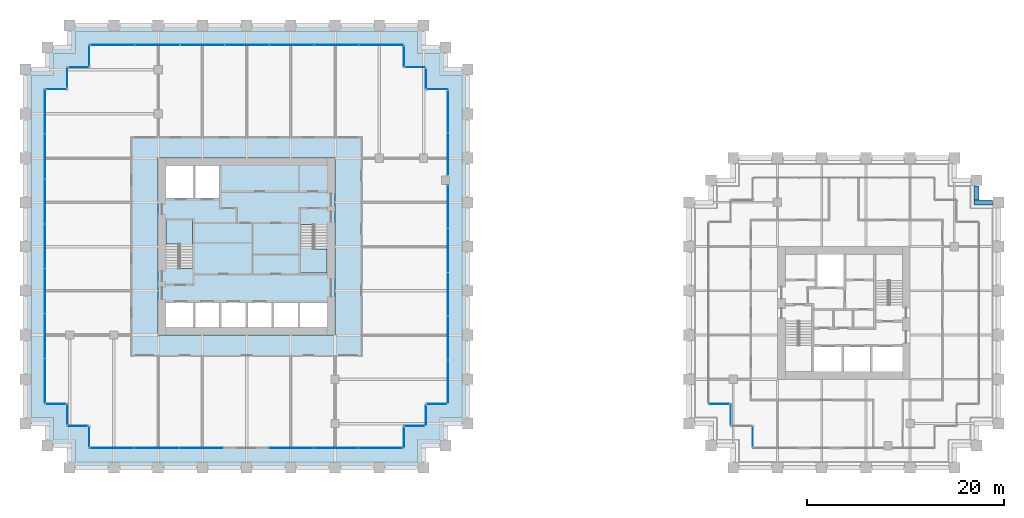
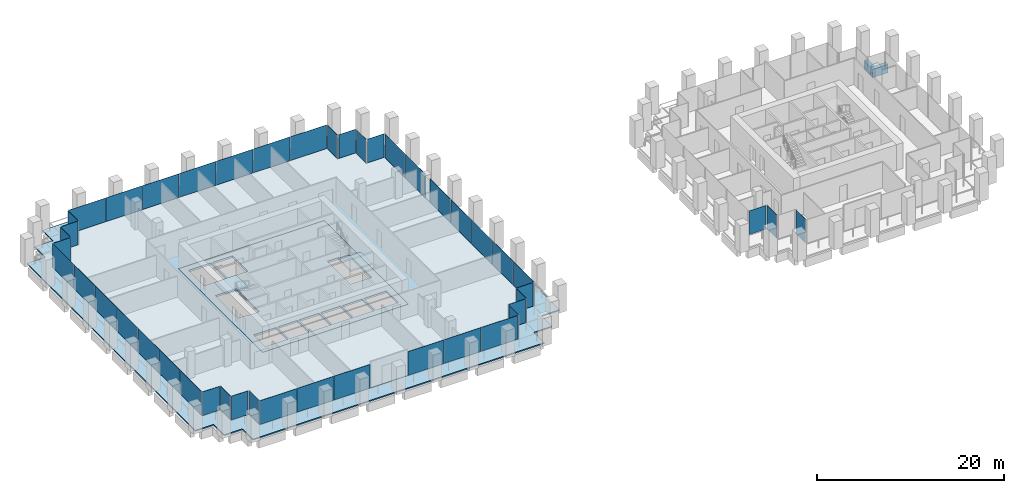
# One storey, part 47 of 55: 46 plates, 5 slabs, 2 beams, 27 elements without a shape of their own.
"""IFC4 building model written with IfcOpenShell, lengths in metres."""

from ifc_helpers import new_model, si_unit, direction, frame, origin, origin_2d, place, context, subcontext, project, spatial, polyline, rectangle, outline, extrude, material, layer, layer_set, material_profile, profile_set, type_object, element, aggregate, save


model = new_model("IFC4")

# Units and contexts
model_context = context("Model", 3, precision=1e-05, world=origin(), true_north=direction((0.0, 1.0)))
body_context = subcontext(model_context, "Body", "Model", "MODEL_VIEW")
ifc_project = project(units=[si_unit("LENGTHUNIT", "METRE"), si_unit("AREAUNIT", "SQUARE_METRE"), si_unit("VOLUMEUNIT", "CUBIC_METRE"), si_unit("PLANEANGLEUNIT", "RADIAN"), si_unit("MASSUNIT", "GRAM", prefix="KILO")], contexts=[model_context])

# Site, building, storey
site_placement = place(None, origin())
site = spatial("IfcSite", under=ifc_project, at=site_placement, CompositionType="ELEMENT")
building_placement = place(site_placement, origin())
building = spatial("IfcBuilding", under=site, at=building_placement, Name="Altepetl Exchange Towers", CompositionType="ELEMENT")
storey_placement = place(building_placement, frame((0.0, 0.0, 47.39990234375)))
storey = spatial("IfcBuildingStorey", under=building, at=storey_placement, Name="L10", CompositionType="ELEMENT", Elevation=47.39990234375)

# Beams
ifc_material_1 = material(Name="Concrete C50/60 precast with cantera amarilla facing", Category="concrete")
ifc_material_profile = material_profile(ifc_material_1, rectangle(XDim=0.5, YDim=1.10009765625, at=origin_2d()), Name="500 x 1100")
ifc_profile_set = profile_set([ifc_material_profile], Name="Concrete C50/60 precast with cantera amarilla facing")
beam_type = type_object("IfcBeamType", Name="Spandrel beam 500x1100 cantera amarilla", PredefinedType="SPANDREL", material=ifc_profile_set)
beam_1_placement = place(storey_placement, frame((125.39990234375, 54.0, -0.699951171875), z_axis=(-1.0, 0.0, 0.0), x_axis=(0.0, -1.0, 0.0)))
element("IfcBeam", 1, at=beam_1_placement, inside=storey, type_object=beam_type, Name="sp:B:L10:014", PredefinedType="SPANDREL", context=body_context, shape_type="SweptSolid", body=[
    extrude(rectangle(XDim=0.5, YDim=1.10009765625, at=origin_2d()), origin(), (0.0, 0.0, 1.0), 1.89990234375),
])
beam_2_placement = place(storey_placement, frame((123.75, 54.25, -0.699951171875), z_axis=(0.0, 1.0, 0.0), x_axis=(-1.0, 0.0, 0.0)))
element("IfcBeam", 2, at=beam_2_placement, inside=storey, type_object=beam_type, Name="sp:B:L10:015", PredefinedType="SPANDREL", context=body_context, shape_type="SweptSolid", body=[
    extrude(rectangle(XDim=0.5, YDim=1.10009765625, at=origin_2d()), origin(), (0.0, 0.0, 1.0), 1.39990234375),
])

# Slabs
ifc_material_2 = material(Name="Concrete C40/50", Category="concrete")
ifc_layer_1 = layer(ifc_material_2, 0.14990234375)
ifc_layer_set_1 = layer_set([ifc_layer_1], Name="Concrete C40/50")
slab_type_1 = type_object("IfcSlabType", Name="Composite floor slab 150", PredefinedType="FLOOR", material=ifc_layer_set_1)
slab_1_placement = place(storey_placement, frame((0.0, 0.0, -0.14990234375)))
element("IfcSlab", 3, at=slab_1_placement, inside=storey, type_object=slab_type_1, Name="slab:A:L10:strip0", PredefinedType="FLOOR", context=body_context, shape_type="SweptSolid", body=[
    extrude(outline(polyline([(31.25, 67.75), (31.25, 65.5), (29.0, 65.5), (29.0, 33.5), (31.25, 33.5), (31.25, 31.25), (33.5, 31.25), (33.5, 29.0), (65.5, 29.0), (65.5, 31.25), (67.75, 31.25), (67.75, 33.5), (70.0, 33.5), (70.0, 65.5), (67.75, 65.5), (67.75, 67.75), (65.5, 67.75), (65.5, 70.0), (33.5, 70.0), (33.5, 67.75), (31.25, 67.75)]), holes=[polyline([(58.5, 58.5), (58.5, 40.5), (40.5, 40.5), (40.5, 58.5), (58.5, 58.5)])]), origin(), (0.0, 0.0, 1.0), 0.14990234375),
])
ifc_layer_2 = layer(ifc_material_2, 0.25)
ifc_layer_set_2 = layer_set([ifc_layer_2], Name="Concrete C40/50")
slab_type_2 = type_object("IfcSlabType", Name="Core floor slab 250", PredefinedType="FLOOR", material=ifc_layer_set_2)
slab_2_placement = place(storey_placement, frame((0.0, 0.0, -0.25)))
element("IfcSlab", 4, at=slab_2_placement, inside=storey, type_object=slab_type_2, Name="slab:A:L10:core0", PredefinedType="FLOOR", context=body_context, shape_type="SweptSolid", body=[
    extrude(outline(polyline([(40.5, 40.5), (58.5, 40.5), (58.5, 58.5), (40.5, 58.5), (40.5, 40.5)]), holes=[polyline([(41.300048828125, 43.800048828125), (44.06689453125, 43.800048828125), (44.06689453125, 41.300048828125), (41.300048828125, 41.300048828125), (41.300048828125, 43.800048828125)]), polyline([(44.26708984375, 43.800048828125), (46.73291015625, 43.800048828125), (46.73291015625, 41.300048828125), (44.26708984375, 41.300048828125), (44.26708984375, 43.800048828125)]), polyline([(46.93310546875, 43.800048828125), (49.39990234375, 43.800048828125), (49.39990234375, 41.300048828125), (46.93310546875, 41.300048828125), (46.93310546875, 43.800048828125)]), polyline([(52.06689453125, 43.800048828125), (52.06689453125, 41.300048828125), (49.60009765625, 41.300048828125), (49.60009765625, 43.800048828125), (52.06689453125, 43.800048828125)]), polyline([(54.73291015625, 43.800048828125), (54.73291015625, 41.300048828125), (52.26708984375, 41.300048828125), (52.26708984375, 43.800048828125), (54.73291015625, 43.800048828125)]), polyline([(54.93310546875, 43.800048828125), (57.699951171875, 43.800048828125), (57.699951171875, 41.300048828125), (54.93310546875, 41.300048828125), (54.93310546875, 43.800048828125)]), polyline([(55.0, 51.7490234375), (56.39990234375, 51.7490234375), (56.39990234375, 51.64990234375), (57.60009765625, 51.64990234375), (57.60009765625, 46.800048828125), (55.0, 46.800048828125), (55.0, 51.7490234375)]), polyline([(44.0, 47.2509765625), (42.60009765625, 47.2509765625), (42.60009765625, 47.35009765625), (41.39990234375, 47.35009765625), (41.39990234375, 52.199951171875), (44.0, 52.199951171875), (44.0, 47.2509765625)]), polyline([(44.06689453125, 57.699951171875), (44.06689453125, 54.39990234375), (41.300048828125, 54.39990234375), (41.300048828125, 57.699951171875), (44.06689453125, 57.699951171875)]), polyline([(46.73291015625, 57.699951171875), (46.73291015625, 54.39990234375), (44.26708984375, 54.39990234375), (44.26708984375, 57.699951171875), (46.73291015625, 57.699951171875)])]), origin(), (0.0, 0.0, 1.0), 0.25),
])

# Curtain wall, plate
ifc_material_3 = material(Name="Aluminium 6063-T6 glazing", Category="aluminium")
curtain_wall_type = type_object("IfcCurtainWallType", Name="Loggia glazing system", PredefinedType="NOTDEFINED", material=ifc_material_3)
curtain_wall_1_placement = place(storey_placement, origin())
curtain_wall_1 = element("IfcCurtainWall", 5, at=curtain_wall_1_placement, inside=storey, type_object=curtain_wall_type, Name="CW1 run", PredefinedType="NOTDEFINED")
ifc_material_4 = material(Name="Glass 6-16-6 low emissivity", Category="glass")
ifc_layer_3 = layer(ifc_material_4, 0.028076171875)
ifc_layer_set_3 = layer_set([ifc_layer_3], Name="Glass 6-16-6 low emissivity")
plate_type = type_object("IfcPlateType", Name="Glass panel 28 double glazed", PredefinedType="CURTAIN_PANEL", material=ifc_layer_set_3)
plate_1_placement = place(storey_placement, frame((30.16259765625, 65.5, 0.0), z_axis=(0.0, 0.0, 1.0), x_axis=(-1.0, 0.0, 0.0)))
plate_1 = element("IfcPlate", 6, at=plate_1_placement, type_object=plate_type, Name="GP1 panel", PredefinedType="CURTAIN_PANEL", context=body_context, shape_type="SweptSolid", body=[
    extrude(rectangle(XDim=2.054931640625, YDim=0.028076171875, at=origin_2d()), origin(), (0.0, 0.0, 1.0), 3.10009765625),
])
aggregate(curtain_wall_1, [plate_1])

# Curtain wall, plates
curtain_wall_2_placement = place(storey_placement, origin())
curtain_wall_2 = element("IfcCurtainWall", 7, at=curtain_wall_2_placement, inside=storey, type_object=curtain_wall_type, Name="CW1 run", PredefinedType="NOTDEFINED")
plate_2_placement = place(storey_placement, frame((29.0, 63.20458984375, 0.0), z_axis=(0.0, 0.0, 1.0), x_axis=(0.0, -1.0, 0.0)))
plate_2 = element("IfcPlate", 8, at=plate_2_placement, type_object=plate_type, Name="GP1 panel", PredefinedType="CURTAIN_PANEL", context=body_context, shape_type="SweptSolid", body=[
    extrude(rectangle(XDim=4.470703125, YDim=0.028076171875, at=origin_2d()), origin(), (0.0, 0.0, 1.0), 3.10009765625),
])
plate_3_placement = place(storey_placement, frame((29.0, 58.658935546875, 0.0), z_axis=(0.0, 0.0, 1.0), x_axis=(0.0, -1.0, 0.0)))
plate_3 = element("IfcPlate", 9, at=plate_3_placement, type_object=plate_type, Name="GP1 panel", PredefinedType="CURTAIN_PANEL", context=body_context, shape_type="SweptSolid", body=[
    extrude(rectangle(XDim=4.500732421875, YDim=0.028076171875, at=origin_2d()), origin(), (0.0, 0.0, 1.0), 3.10009765625),
])
plate_4_placement = place(storey_placement, frame((29.0, 54.09814453125, 0.0), z_axis=(0.0, 0.0, 1.0), x_axis=(0.0, -1.0, 0.0)))
plate_4 = element("IfcPlate", 10, at=plate_4_placement, type_object=plate_type, Name="GP1 panel", PredefinedType="CURTAIN_PANEL", context=body_context, shape_type="SweptSolid", body=[
    extrude(rectangle(XDim=4.500732421875, YDim=0.028076171875, at=origin_2d()), origin(), (0.0, 0.0, 1.0), 3.10009765625),
])
plate_5_placement = place(storey_placement, frame((29.0, 49.53759765625, 0.0), z_axis=(0.0, 0.0, 1.0), x_axis=(0.0, -1.0, 0.0)))
plate_5 = element("IfcPlate", 11, at=plate_5_placement, type_object=plate_type, Name="GP1 panel", PredefinedType="CURTAIN_PANEL", context=body_context, shape_type="SweptSolid", body=[
    extrude(rectangle(XDim=4.500732421875, YDim=0.028076171875, at=origin_2d()), origin(), (0.0, 0.0, 1.0), 3.10009765625),
])
plate_6_placement = place(storey_placement, frame((29.0, 44.976806640625, 0.0), z_axis=(0.0, 0.0, 1.0), x_axis=(0.0, -1.0, 0.0)))
plate_6 = element("IfcPlate", 12, at=plate_6_placement, type_object=plate_type, Name="GP1 panel", PredefinedType="CURTAIN_PANEL", context=body_context, shape_type="SweptSolid", body=[
    extrude(rectangle(XDim=4.500732421875, YDim=0.028076171875, at=origin_2d()), origin(), (0.0, 0.0, 1.0), 3.10009765625),
])
plate_7_placement = place(storey_placement, frame((29.0, 40.416015625, 0.0), z_axis=(0.0, 0.0, 1.0), x_axis=(0.0, -1.0, 0.0)))
plate_7 = element("IfcPlate", 13, at=plate_7_placement, type_object=plate_type, Name="GP1 panel", PredefinedType="CURTAIN_PANEL", context=body_context, shape_type="SweptSolid", body=[
    extrude(rectangle(XDim=4.500732421875, YDim=0.028076171875, at=origin_2d()), origin(), (0.0, 0.0, 1.0), 3.10009765625),
])
plate_8_placement = place(storey_placement, frame((29.0, 35.870361328125, 0.0), z_axis=(0.0, 0.0, 1.0), x_axis=(0.0, -1.0, 0.0)))
plate_8 = element("IfcPlate", 14, at=plate_8_placement, type_object=plate_type, Name="GP1 panel", PredefinedType="CURTAIN_PANEL", context=body_context, shape_type="SweptSolid", body=[
    extrude(rectangle(XDim=4.470703125, YDim=0.028076171875, at=origin_2d()), origin(), (0.0, 0.0, 1.0), 3.10009765625),
])
aggregate(curtain_wall_2, [plate_2, plate_3, plate_4, plate_5, plate_6, plate_7, plate_8])

# Curtain wall, plate
curtain_wall_3_placement = place(storey_placement, origin())
curtain_wall_3 = element("IfcCurtainWall", 15, at=curtain_wall_3_placement, inside=storey, type_object=curtain_wall_type, Name="CW1 run", PredefinedType="NOTDEFINED")
plate_9_placement = place(storey_placement, frame((30.08740234375, 33.5, 0.0)))
plate_9 = element("IfcPlate", 16, at=plate_9_placement, type_object=plate_type, Name="GP1 panel", PredefinedType="CURTAIN_PANEL", context=body_context, shape_type="SweptSolid", body=[
    extrude(rectangle(XDim=2.054931640625, YDim=0.028076171875, at=origin_2d()), origin(), (0.0, 0.0, 1.0), 3.10009765625),
])
aggregate(curtain_wall_3, [plate_9])

curtain_wall_4_placement = place(storey_placement, origin())
curtain_wall_4 = element("IfcCurtainWall", 17, at=curtain_wall_4_placement, inside=storey, type_object=curtain_wall_type, Name="CW1 run", PredefinedType="NOTDEFINED")
plate_10_placement = place(storey_placement, frame((31.25, 32.41259765625, 0.0), z_axis=(0.0, 0.0, 1.0), x_axis=(0.0, -1.0, 0.0)))
plate_10 = element("IfcPlate", 18, at=plate_10_placement, type_object=plate_type, Name="GP1 panel", PredefinedType="CURTAIN_PANEL", context=body_context, shape_type="SweptSolid", body=[
    extrude(rectangle(XDim=2.054931640625, YDim=0.028076171875, at=origin_2d()), origin(), (0.0, 0.0, 1.0), 3.10009765625),
])
aggregate(curtain_wall_4, [plate_10])

curtain_wall_5_placement = place(storey_placement, origin())
curtain_wall_5 = element("IfcCurtainWall", 19, at=curtain_wall_5_placement, inside=storey, type_object=curtain_wall_type, Name="CW1 run", PredefinedType="NOTDEFINED")
plate_11_placement = place(storey_placement, frame((32.33740234375, 31.25, 0.0)))
plate_11 = element("IfcPlate", 20, at=plate_11_placement, type_object=plate_type, Name="GP1 panel", PredefinedType="CURTAIN_PANEL", context=body_context, shape_type="SweptSolid", body=[
    extrude(rectangle(XDim=2.054931640625, YDim=0.028076171875, at=origin_2d()), origin(), (0.0, 0.0, 1.0), 3.10009765625),
])
aggregate(curtain_wall_5, [plate_11])

curtain_wall_6_placement = place(storey_placement, origin())
curtain_wall_6 = element("IfcCurtainWall", 21, at=curtain_wall_6_placement, inside=storey, type_object=curtain_wall_type, Name="CW1 run", PredefinedType="NOTDEFINED")
plate_12_placement = place(storey_placement, frame((33.5, 30.16259765625, 0.0), z_axis=(0.0, 0.0, 1.0), x_axis=(0.0, -1.0, 0.0)))
plate_12 = element("IfcPlate", 22, at=plate_12_placement, type_object=plate_type, Name="GP1 panel", PredefinedType="CURTAIN_PANEL", context=body_context, shape_type="SweptSolid", body=[
    extrude(rectangle(XDim=2.054931640625, YDim=0.028076171875, at=origin_2d()), origin(), (0.0, 0.0, 1.0), 3.10009765625),
])
aggregate(curtain_wall_6, [plate_12])

# Curtain wall, plates
curtain_wall_7_placement = place(storey_placement, origin())
curtain_wall_7 = element("IfcCurtainWall", 23, at=curtain_wall_7_placement, inside=storey, type_object=curtain_wall_type, Name="CW1 run", PredefinedType="NOTDEFINED")
plate_13_placement = place(storey_placement, frame((35.79541015625, 29.0, 0.0)))
plate_13 = element("IfcPlate", 24, at=plate_13_placement, type_object=plate_type, Name="GP1 panel", PredefinedType="CURTAIN_PANEL", context=body_context, shape_type="SweptSolid", body=[
    extrude(rectangle(XDim=4.470703125, YDim=0.028076171875, at=origin_2d()), origin(), (0.0, 0.0, 1.0), 3.10009765625),
])
plate_14_placement = place(storey_placement, frame((40.341064453125, 29.0, 0.0)))
plate_14 = element("IfcPlate", 25, at=plate_14_placement, type_object=plate_type, Name="GP1 panel", PredefinedType="CURTAIN_PANEL", context=body_context, shape_type="SweptSolid", body=[
    extrude(rectangle(XDim=4.500732421875, YDim=0.028076171875, at=origin_2d()), origin(), (0.0, 0.0, 1.0), 3.10009765625),
])
plate_15_placement = place(storey_placement, frame((44.88671875, 29.0, 0.0)))
plate_15 = element("IfcPlate", 26, at=plate_15_placement, type_object=plate_type, Name="GP1 panel", PredefinedType="CURTAIN_PANEL", context=body_context, shape_type="SweptSolid", body=[
    extrude(rectangle(XDim=4.470703125, YDim=0.028076171875, at=origin_2d()), origin(), (0.0, 0.0, 1.0), 3.10009765625),
])
aggregate(curtain_wall_7, [plate_13, plate_14, plate_15])

curtain_wall_8_placement = place(storey_placement, origin())
curtain_wall_8 = element("IfcCurtainWall", 27, at=curtain_wall_8_placement, inside=storey, type_object=curtain_wall_type, Name="CW1 run", PredefinedType="NOTDEFINED")
plate_16_placement = place(storey_placement, frame((54.038330078125, 29.0, 0.0)))
plate_16 = element("IfcPlate", 28, at=plate_16_placement, type_object=plate_type, Name="GP1 panel", PredefinedType="CURTAIN_PANEL", context=body_context, shape_type="SweptSolid", body=[
    extrude(rectangle(XDim=4.470703125, YDim=0.028076171875, at=origin_2d()), origin(), (0.0, 0.0, 1.0), 3.10009765625),
])
plate_17_placement = place(storey_placement, frame((58.583984375, 29.0, 0.0)))
plate_17 = element("IfcPlate", 29, at=plate_17_placement, type_object=plate_type, Name="GP1 panel", PredefinedType="CURTAIN_PANEL", context=body_context, shape_type="SweptSolid", body=[
    extrude(rectangle(XDim=4.500732421875, YDim=0.028076171875, at=origin_2d()), origin(), (0.0, 0.0, 1.0), 3.10009765625),
])
plate_18_placement = place(storey_placement, frame((63.129638671875, 29.0, 0.0)))
plate_18 = element("IfcPlate", 30, at=plate_18_placement, type_object=plate_type, Name="GP1 panel", PredefinedType="CURTAIN_PANEL", context=body_context, shape_type="SweptSolid", body=[
    extrude(rectangle(XDim=4.470703125, YDim=0.028076171875, at=origin_2d()), origin(), (0.0, 0.0, 1.0), 3.10009765625),
])
aggregate(curtain_wall_8, [plate_16, plate_17, plate_18])

# Curtain wall, plate
curtain_wall_9_placement = place(storey_placement, origin())
curtain_wall_9 = element("IfcCurtainWall", 31, at=curtain_wall_9_placement, inside=storey, type_object=curtain_wall_type, Name="CW1 run", PredefinedType="NOTDEFINED")
plate_19_placement = place(storey_placement, frame((65.5, 30.08740234375, 0.0), z_axis=(0.0, 0.0, 1.0), x_axis=(0.0, 1.0, 0.0)))
plate_19 = element("IfcPlate", 32, at=plate_19_placement, type_object=plate_type, Name="GP1 panel", PredefinedType="CURTAIN_PANEL", context=body_context, shape_type="SweptSolid", body=[
    extrude(rectangle(XDim=2.054931640625, YDim=0.028076171875, at=origin_2d()), origin(), (0.0, 0.0, 1.0), 3.10009765625),
])
aggregate(curtain_wall_9, [plate_19])

curtain_wall_10_placement = place(storey_placement, origin())
curtain_wall_10 = element("IfcCurtainWall", 33, at=curtain_wall_10_placement, inside=storey, type_object=curtain_wall_type, Name="CW1 run", PredefinedType="NOTDEFINED")
plate_20_placement = place(storey_placement, frame((66.58740234375, 31.25, 0.0)))
plate_20 = element("IfcPlate", 34, at=plate_20_placement, type_object=plate_type, Name="GP1 panel", PredefinedType="CURTAIN_PANEL", context=body_context, shape_type="SweptSolid", body=[
    extrude(rectangle(XDim=2.054931640625, YDim=0.028076171875, at=origin_2d()), origin(), (0.0, 0.0, 1.0), 3.10009765625),
])
aggregate(curtain_wall_10, [plate_20])

curtain_wall_11_placement = place(storey_placement, origin())
curtain_wall_11 = element("IfcCurtainWall", 35, at=curtain_wall_11_placement, inside=storey, type_object=curtain_wall_type, Name="CW1 run", PredefinedType="NOTDEFINED")
plate_21_placement = place(storey_placement, frame((67.75, 32.33740234375, 0.0), z_axis=(0.0, 0.0, 1.0), x_axis=(0.0, 1.0, 0.0)))
plate_21 = element("IfcPlate", 36, at=plate_21_placement, type_object=plate_type, Name="GP1 panel", PredefinedType="CURTAIN_PANEL", context=body_context, shape_type="SweptSolid", body=[
    extrude(rectangle(XDim=2.054931640625, YDim=0.028076171875, at=origin_2d()), origin(), (0.0, 0.0, 1.0), 3.10009765625),
])
aggregate(curtain_wall_11, [plate_21])

curtain_wall_12_placement = place(storey_placement, origin())
curtain_wall_12 = element("IfcCurtainWall", 37, at=curtain_wall_12_placement, inside=storey, type_object=curtain_wall_type, Name="CW1 run", PredefinedType="NOTDEFINED")
plate_22_placement = place(storey_placement, frame((68.83740234375, 33.5, 0.0)))
plate_22 = element("IfcPlate", 38, at=plate_22_placement, type_object=plate_type, Name="GP1 panel", PredefinedType="CURTAIN_PANEL", context=body_context, shape_type="SweptSolid", body=[
    extrude(rectangle(XDim=2.054931640625, YDim=0.028076171875, at=origin_2d()), origin(), (0.0, 0.0, 1.0), 3.10009765625),
])
aggregate(curtain_wall_12, [plate_22])

# Curtain wall, plates
curtain_wall_13_placement = place(storey_placement, origin())
curtain_wall_13 = element("IfcCurtainWall", 39, at=curtain_wall_13_placement, inside=storey, type_object=curtain_wall_type, Name="CW1 run", PredefinedType="NOTDEFINED")
plate_23_placement = place(storey_placement, frame((70.0, 35.74560546875, 0.0), z_axis=(0.0, 0.0, 1.0), x_axis=(0.0, 1.0, 0.0)))
plate_23 = element("IfcPlate", 40, at=plate_23_placement, type_object=plate_type, Name="GP1 panel", PredefinedType="CURTAIN_PANEL", context=body_context, shape_type="SweptSolid", body=[
    extrude(rectangle(XDim=4.37109375, YDim=0.028076171875, at=origin_2d()), origin(), (0.0, 0.0, 1.0), 3.10009765625),
])
plate_24_placement = place(storey_placement, frame((70.0, 40.19140625, 0.0), z_axis=(0.0, 0.0, 1.0), x_axis=(0.0, 1.0, 0.0)))
plate_24 = element("IfcPlate", 41, at=plate_24_placement, type_object=plate_type, Name="GP1 panel", PredefinedType="CURTAIN_PANEL", context=body_context, shape_type="SweptSolid", body=[
    extrude(rectangle(XDim=4.40087890625, YDim=0.028076171875, at=origin_2d()), origin(), (0.0, 0.0, 1.0), 3.10009765625),
])
plate_25_placement = place(storey_placement, frame((70.0, 44.652587890625, 0.0), z_axis=(0.0, 0.0, 1.0), x_axis=(0.0, 1.0, 0.0)))
plate_25 = element("IfcPlate", 42, at=plate_25_placement, type_object=plate_type, Name="GP1 panel", PredefinedType="CURTAIN_PANEL", context=body_context, shape_type="SweptSolid", body=[
    extrude(rectangle(XDim=4.40087890625, YDim=0.028076171875, at=origin_2d()), origin(), (0.0, 0.0, 1.0), 3.10009765625),
])
plate_26_placement = place(storey_placement, frame((70.0, 49.113525390625, 0.0), z_axis=(0.0, 0.0, 1.0), x_axis=(0.0, 1.0, 0.0)))
plate_26 = element("IfcPlate", 43, at=plate_26_placement, type_object=plate_type, Name="GP1 panel", PredefinedType="CURTAIN_PANEL", context=body_context, shape_type="SweptSolid", body=[
    extrude(rectangle(XDim=4.40087890625, YDim=0.028076171875, at=origin_2d()), origin(), (0.0, 0.0, 1.0), 3.10009765625),
])
plate_27_placement = place(storey_placement, frame((70.0, 53.5595703125, 0.0), z_axis=(0.0, 0.0, 1.0), x_axis=(0.0, 1.0, 0.0)))
plate_27 = element("IfcPlate", 44, at=plate_27_placement, type_object=plate_type, Name="GP1 panel", PredefinedType="CURTAIN_PANEL", context=body_context, shape_type="SweptSolid", body=[
    extrude(rectangle(XDim=4.37109375, YDim=0.028076171875, at=origin_2d()), origin(), (0.0, 0.0, 1.0), 3.10009765625),
])
aggregate(curtain_wall_13, [plate_23, plate_24, plate_25, plate_26, plate_27])

curtain_wall_14_placement = place(storey_placement, origin())
curtain_wall_14 = element("IfcCurtainWall", 45, at=curtain_wall_14_placement, inside=storey, type_object=curtain_wall_type, Name="CW1 run", PredefinedType="NOTDEFINED")
plate_28_placement = place(storey_placement, frame((70.0, 58.892578125, 0.0), z_axis=(0.0, 0.0, 1.0), x_axis=(0.0, 1.0, 0.0)))
plate_28 = element("IfcPlate", 46, at=plate_28_placement, type_object=plate_type, Name="GP1 panel", PredefinedType="CURTAIN_PANEL", context=body_context, shape_type="SweptSolid", body=[
    extrude(rectangle(XDim=4.27490234375, YDim=0.028076171875, at=origin_2d()), origin(), (0.0, 0.0, 1.0), 3.10009765625),
])
plate_29_placement = place(storey_placement, frame((70.0, 63.2275390625, 0.0), z_axis=(0.0, 0.0, 1.0), x_axis=(0.0, 1.0, 0.0)))
plate_29 = element("IfcPlate", 47, at=plate_29_placement, type_object=plate_type, Name="GP1 panel", PredefinedType="CURTAIN_PANEL", context=body_context, shape_type="SweptSolid", body=[
    extrude(rectangle(XDim=4.27490234375, YDim=0.028076171875, at=origin_2d()), origin(), (0.0, 0.0, 1.0), 3.10009765625),
])
aggregate(curtain_wall_14, [plate_28, plate_29])

# Curtain wall, plate
curtain_wall_15_placement = place(storey_placement, origin())
curtain_wall_15 = element("IfcCurtainWall", 48, at=curtain_wall_15_placement, inside=storey, type_object=curtain_wall_type, Name="CW1 run", PredefinedType="NOTDEFINED")
plate_30_placement = place(storey_placement, frame((68.91259765625, 65.5, 0.0), z_axis=(0.0, 0.0, 1.0), x_axis=(-1.0, 0.0, 0.0)))
plate_30 = element("IfcPlate", 49, at=plate_30_placement, type_object=plate_type, Name="GP1 panel", PredefinedType="CURTAIN_PANEL", context=body_context, shape_type="SweptSolid", body=[
    extrude(rectangle(XDim=2.054931640625, YDim=0.028076171875, at=origin_2d()), origin(), (0.0, 0.0, 1.0), 3.10009765625),
])
aggregate(curtain_wall_15, [plate_30])

curtain_wall_16_placement = place(storey_placement, origin())
curtain_wall_16 = element("IfcCurtainWall", 50, at=curtain_wall_16_placement, inside=storey, type_object=curtain_wall_type, Name="CW1 run", PredefinedType="NOTDEFINED")
plate_31_placement = place(storey_placement, frame((67.75, 66.58740234375, 0.0), z_axis=(0.0, 0.0, 1.0), x_axis=(0.0, 1.0, 0.0)))
plate_31 = element("IfcPlate", 51, at=plate_31_placement, type_object=plate_type, Name="GP1 panel", PredefinedType="CURTAIN_PANEL", context=body_context, shape_type="SweptSolid", body=[
    extrude(rectangle(XDim=2.054931640625, YDim=0.028076171875, at=origin_2d()), origin(), (0.0, 0.0, 1.0), 3.10009765625),
])
aggregate(curtain_wall_16, [plate_31])

curtain_wall_17_placement = place(storey_placement, origin())
curtain_wall_17 = element("IfcCurtainWall", 52, at=curtain_wall_17_placement, inside=storey, type_object=curtain_wall_type, Name="CW1 run", PredefinedType="NOTDEFINED")
plate_32_placement = place(storey_placement, frame((66.66259765625, 67.75, 0.0), z_axis=(0.0, 0.0, 1.0), x_axis=(-1.0, 0.0, 0.0)))
plate_32 = element("IfcPlate", 53, at=plate_32_placement, type_object=plate_type, Name="GP1 panel", PredefinedType="CURTAIN_PANEL", context=body_context, shape_type="SweptSolid", body=[
    extrude(rectangle(XDim=2.054931640625, YDim=0.028076171875, at=origin_2d()), origin(), (0.0, 0.0, 1.0), 3.10009765625),
])
aggregate(curtain_wall_17, [plate_32])

curtain_wall_18_placement = place(storey_placement, origin())
curtain_wall_18 = element("IfcCurtainWall", 54, at=curtain_wall_18_placement, inside=storey, type_object=curtain_wall_type, Name="CW1 run", PredefinedType="NOTDEFINED")
plate_33_placement = place(storey_placement, frame((65.5, 68.83740234375, 0.0), z_axis=(0.0, 0.0, 1.0), x_axis=(0.0, 1.0, 0.0)))
plate_33 = element("IfcPlate", 55, at=plate_33_placement, type_object=plate_type, Name="GP1 panel", PredefinedType="CURTAIN_PANEL", context=body_context, shape_type="SweptSolid", body=[
    extrude(rectangle(XDim=2.054931640625, YDim=0.028076171875, at=origin_2d()), origin(), (0.0, 0.0, 1.0), 3.10009765625),
])
aggregate(curtain_wall_18, [plate_33])

# Curtain wall, plates
curtain_wall_19_placement = place(storey_placement, origin())
curtain_wall_19 = element("IfcCurtainWall", 56, at=curtain_wall_19_placement, inside=storey, type_object=curtain_wall_type, Name="CW1 run", PredefinedType="NOTDEFINED")
plate_34_placement = place(storey_placement, frame((63.20458984375, 70.0, 0.0), z_axis=(0.0, 0.0, 1.0), x_axis=(-1.0, 0.0, 0.0)))
plate_34 = element("IfcPlate", 57, at=plate_34_placement, type_object=plate_type, Name="GP1 panel", PredefinedType="CURTAIN_PANEL", context=body_context, shape_type="SweptSolid", body=[
    extrude(rectangle(XDim=4.470703125, YDim=0.028076171875, at=origin_2d()), origin(), (0.0, 0.0, 1.0), 3.10009765625),
])
plate_35_placement = place(storey_placement, frame((58.658935546875, 70.0, 0.0), z_axis=(0.0, 0.0, 1.0), x_axis=(-1.0, 0.0, 0.0)))
plate_35 = element("IfcPlate", 58, at=plate_35_placement, type_object=plate_type, Name="GP1 panel", PredefinedType="CURTAIN_PANEL", context=body_context, shape_type="SweptSolid", body=[
    extrude(rectangle(XDim=4.500732421875, YDim=0.028076171875, at=origin_2d()), origin(), (0.0, 0.0, 1.0), 3.10009765625),
])
plate_36_placement = place(storey_placement, frame((54.09814453125, 70.0, 0.0), z_axis=(0.0, 0.0, 1.0), x_axis=(-1.0, 0.0, 0.0)))
plate_36 = element("IfcPlate", 59, at=plate_36_placement, type_object=plate_type, Name="GP1 panel", PredefinedType="CURTAIN_PANEL", context=body_context, shape_type="SweptSolid", body=[
    extrude(rectangle(XDim=4.500732421875, YDim=0.028076171875, at=origin_2d()), origin(), (0.0, 0.0, 1.0), 3.10009765625),
])
plate_37_placement = place(storey_placement, frame((49.53759765625, 70.0, 0.0), z_axis=(0.0, 0.0, 1.0), x_axis=(-1.0, 0.0, 0.0)))
plate_37 = element("IfcPlate", 60, at=plate_37_placement, type_object=plate_type, Name="GP1 panel", PredefinedType="CURTAIN_PANEL", context=body_context, shape_type="SweptSolid", body=[
    extrude(rectangle(XDim=4.500732421875, YDim=0.028076171875, at=origin_2d()), origin(), (0.0, 0.0, 1.0), 3.10009765625),
])
plate_38_placement = place(storey_placement, frame((44.976806640625, 70.0, 0.0), z_axis=(0.0, 0.0, 1.0), x_axis=(-1.0, 0.0, 0.0)))
plate_38 = element("IfcPlate", 61, at=plate_38_placement, type_object=plate_type, Name="GP1 panel", PredefinedType="CURTAIN_PANEL", context=body_context, shape_type="SweptSolid", body=[
    extrude(rectangle(XDim=4.500732421875, YDim=0.028076171875, at=origin_2d()), origin(), (0.0, 0.0, 1.0), 3.10009765625),
])
plate_39_placement = place(storey_placement, frame((40.416015625, 70.0, 0.0), z_axis=(0.0, 0.0, 1.0), x_axis=(-1.0, 0.0, 0.0)))
plate_39 = element("IfcPlate", 62, at=plate_39_placement, type_object=plate_type, Name="GP1 panel", PredefinedType="CURTAIN_PANEL", context=body_context, shape_type="SweptSolid", body=[
    extrude(rectangle(XDim=4.500732421875, YDim=0.028076171875, at=origin_2d()), origin(), (0.0, 0.0, 1.0), 3.10009765625),
])
plate_40_placement = place(storey_placement, frame((35.870361328125, 70.0, 0.0), z_axis=(0.0, 0.0, 1.0), x_axis=(-1.0, 0.0, 0.0)))
plate_40 = element("IfcPlate", 63, at=plate_40_placement, type_object=plate_type, Name="GP1 panel", PredefinedType="CURTAIN_PANEL", context=body_context, shape_type="SweptSolid", body=[
    extrude(rectangle(XDim=4.470703125, YDim=0.028076171875, at=origin_2d()), origin(), (0.0, 0.0, 1.0), 3.10009765625),
])
aggregate(curtain_wall_19, [plate_34, plate_35, plate_36, plate_37, plate_38, plate_39, plate_40])

# Curtain wall, plate
curtain_wall_20_placement = place(storey_placement, origin())
curtain_wall_20 = element("IfcCurtainWall", 64, at=curtain_wall_20_placement, inside=storey, type_object=curtain_wall_type, Name="CW1 run", PredefinedType="NOTDEFINED")
plate_41_placement = place(storey_placement, frame((33.5, 68.91259765625, 0.0), z_axis=(0.0, 0.0, 1.0), x_axis=(0.0, -1.0, 0.0)))
plate_41 = element("IfcPlate", 65, at=plate_41_placement, type_object=plate_type, Name="GP1 panel", PredefinedType="CURTAIN_PANEL", context=body_context, shape_type="SweptSolid", body=[
    extrude(rectangle(XDim=2.054931640625, YDim=0.028076171875, at=origin_2d()), origin(), (0.0, 0.0, 1.0), 3.10009765625),
])
aggregate(curtain_wall_20, [plate_41])

curtain_wall_21_placement = place(storey_placement, origin())
curtain_wall_21 = element("IfcCurtainWall", 66, at=curtain_wall_21_placement, inside=storey, type_object=curtain_wall_type, Name="CW1 run", PredefinedType="NOTDEFINED")
plate_42_placement = place(storey_placement, frame((32.41259765625, 67.75, 0.0), z_axis=(0.0, 0.0, 1.0), x_axis=(-1.0, 0.0, 0.0)))
plate_42 = element("IfcPlate", 67, at=plate_42_placement, type_object=plate_type, Name="GP1 panel", PredefinedType="CURTAIN_PANEL", context=body_context, shape_type="SweptSolid", body=[
    extrude(rectangle(XDim=2.054931640625, YDim=0.028076171875, at=origin_2d()), origin(), (0.0, 0.0, 1.0), 3.10009765625),
])
aggregate(curtain_wall_21, [plate_42])

curtain_wall_22_placement = place(storey_placement, origin())
curtain_wall_22 = element("IfcCurtainWall", 68, at=curtain_wall_22_placement, inside=storey, type_object=curtain_wall_type, Name="CW1 run", PredefinedType="NOTDEFINED")
plate_43_placement = place(storey_placement, frame((31.25, 66.66259765625, 0.0), z_axis=(0.0, 0.0, 1.0), x_axis=(0.0, -1.0, 0.0)))
plate_43 = element("IfcPlate", 69, at=plate_43_placement, type_object=plate_type, Name="GP1 panel", PredefinedType="CURTAIN_PANEL", context=body_context, shape_type="SweptSolid", body=[
    extrude(rectangle(XDim=2.054931640625, YDim=0.028076171875, at=origin_2d()), origin(), (0.0, 0.0, 1.0), 3.10009765625),
])
aggregate(curtain_wall_22, [plate_43])

curtain_wall_23_placement = place(storey_placement, origin())
curtain_wall_23 = element("IfcCurtainWall", 70, at=curtain_wall_23_placement, inside=storey, type_object=curtain_wall_type, Name="CW1 run", PredefinedType="NOTDEFINED")
plate_44_placement = place(storey_placement, frame((97.58740234375, 33.5, 0.0)))
plate_44 = element("IfcPlate", 71, at=plate_44_placement, type_object=plate_type, Name="GP1 panel", PredefinedType="CURTAIN_PANEL", context=body_context, shape_type="SweptSolid", body=[
    extrude(rectangle(XDim=2.054931640625, YDim=0.028076171875, at=origin_2d()), origin(), (0.0, 0.0, 1.0), 3.10009765625),
])
aggregate(curtain_wall_23, [plate_44])

curtain_wall_24_placement = place(storey_placement, origin())
curtain_wall_24 = element("IfcCurtainWall", 72, at=curtain_wall_24_placement, inside=storey, type_object=curtain_wall_type, Name="CW1 run", PredefinedType="NOTDEFINED")
plate_45_placement = place(storey_placement, frame((98.75, 32.41259765625, 0.0), z_axis=(0.0, 0.0, 1.0), x_axis=(0.0, -1.0, 0.0)))
plate_45 = element("IfcPlate", 73, at=plate_45_placement, type_object=plate_type, Name="GP1 panel", PredefinedType="CURTAIN_PANEL", context=body_context, shape_type="SweptSolid", body=[
    extrude(rectangle(XDim=2.054931640625, YDim=0.028076171875, at=origin_2d()), origin(), (0.0, 0.0, 1.0), 3.10009765625),
])
aggregate(curtain_wall_24, [plate_45])

curtain_wall_25_placement = place(storey_placement, origin())
curtain_wall_25 = element("IfcCurtainWall", 74, at=curtain_wall_25_placement, inside=storey, type_object=curtain_wall_type, Name="CW1 run", PredefinedType="NOTDEFINED")
plate_46_placement = place(storey_placement, frame((101.0, 30.16259765625, 0.0), z_axis=(0.0, 0.0, 1.0), x_axis=(0.0, -1.0, 0.0)))
plate_46 = element("IfcPlate", 75, at=plate_46_placement, type_object=plate_type, Name="GP1 panel", PredefinedType="CURTAIN_PANEL", context=body_context, shape_type="SweptSolid", body=[
    extrude(rectangle(XDim=2.054931640625, YDim=0.028076171875, at=origin_2d()), origin(), (0.0, 0.0, 1.0), 3.10009765625),
])
aggregate(curtain_wall_25, [plate_46])

# Slab
ifc_layer_4 = layer(ifc_material_2, 0.14990234375)
ifc_layer_set_4 = layer_set([ifc_layer_4], Name="Concrete C40/50")
slab_type_3 = type_object("IfcSlabType", Name="Loggia slab 150", PredefinedType="FLOOR", material=ifc_layer_set_4)
slab_3_placement = place(storey_placement, frame((0.0, 0.0, -0.14990234375)))
element("IfcSlab", 76, at=slab_3_placement, inside=storey, type_object=slab_type_3, Name="slab:A:L10:loggia0", PredefinedType="FLOOR", context=body_context, shape_type="SweptSolid", body=[
    extrude(outline(polyline([(29.25, 67.5), (27.0, 67.5), (27.0, 40.5), (27.0, 31.5), (29.25, 31.5), (29.25, 29.25), (31.5, 29.25), (31.5, 27.0), (58.5, 27.0), (67.5, 27.0), (67.5, 29.25), (69.75, 29.25), (69.75, 31.5), (72.0, 31.5), (72.0, 58.5), (72.0, 67.5), (69.75, 67.5), (69.75, 69.75), (67.5, 69.75), (67.5, 72.0), (40.5, 72.0), (31.5, 72.0), (31.5, 69.75), (29.25, 69.75), (29.25, 67.5)]), holes=[polyline([(29.0, 65.5), (31.25, 65.5), (31.25, 67.75), (33.5, 67.75), (33.5, 70.0), (65.5, 70.0), (65.5, 67.75), (67.75, 67.75), (67.75, 65.5), (70.0, 65.5), (70.0, 33.5), (67.75, 33.5), (67.75, 31.25), (65.5, 31.25), (65.5, 29.0), (33.5, 29.0), (33.5, 31.25), (31.25, 31.25), (31.25, 33.5), (29.0, 33.5), (29.0, 65.5)])]), origin(), (0.0, 0.0, 1.0), 0.14990234375),
])

# Stair, slab
stair_type = type_object("IfcStairType", Name="Exit stair 1300 flights dogleg", PredefinedType="HALF_TURN_STAIR", material=ifc_material_2)
stair_1_placement = place(storey_placement, origin())
stair_1 = element("IfcStair", 77, at=stair_1_placement, inside=storey, type_object=stair_type, Name="Exit stair 1", PredefinedType="HALF_TURN_STAIR")
ifc_layer_5 = layer(ifc_material_2, 0.199951171875)
ifc_layer_set_5 = layer_set([ifc_layer_5], Name="Concrete C40/50")
slab_type_4 = type_object("IfcSlabType", Name="Stair landing 200 reinforced concrete", PredefinedType="LANDING", material=ifc_layer_set_5)
slab_4_placement = place(storey_placement, frame((0.0, 0.0, 1.60009765625)))
slab_4 = element("IfcSlab", 78, at=slab_4_placement, type_object=slab_type_4, Name="ST-A1c landing 1", PredefinedType="LANDING", context=body_context, shape_type="SweptSolid", body=[
    extrude(outline(polyline([(44.0, 49.669921875), (42.699951171875, 49.669921875), (42.699951171875, 49.77001953125), (42.60009765625, 49.77001953125), (42.60009765625, 49.769287109375), (41.300048828125, 49.769287109375), (41.300048828125, 49.77001953125), (41.300048828125, 52.199951171875), (44.0, 52.199951171875), (44.0, 49.77001953125), (44.0, 49.669921875)])), origin(), (0.0, 0.0, 1.0), 0.199951171875),
])
aggregate(stair_1, [slab_4])

stair_2_placement = place(storey_placement, origin())
stair_2 = element("IfcStair", 79, at=stair_2_placement, inside=storey, type_object=stair_type, Name="Exit stair 2", PredefinedType="HALF_TURN_STAIR")
slab_5_placement = place(storey_placement, frame((0.0, 0.0, 1.60009765625)))
slab_5 = element("IfcSlab", 80, at=slab_5_placement, type_object=slab_type_4, Name="ST-A2c landing 1", PredefinedType="LANDING", context=body_context, shape_type="SweptSolid", body=[
    extrude(outline(polyline([(57.699951171875, 46.800048828125), (55.0, 46.800048828125), (55.0, 49.22998046875), (55.0, 49.330078125), (56.300048828125, 49.330078125), (56.300048828125, 49.22998046875), (56.39990234375, 49.22998046875), (56.39990234375, 49.230712890625), (57.699951171875, 49.230712890625), (57.699951171875, 49.22998046875), (57.699951171875, 46.800048828125)])), origin(), (0.0, 0.0, 1.0), 0.199951171875),
])
aggregate(stair_2, [slab_5])

save(model, "model.ifc")
